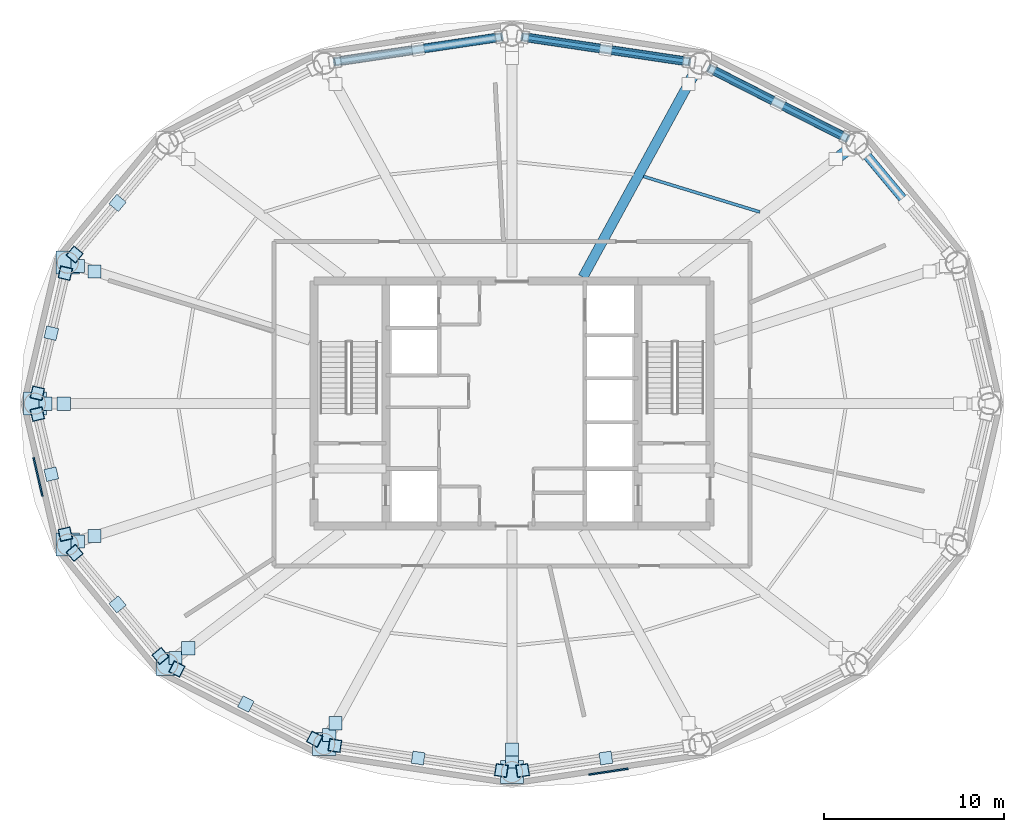
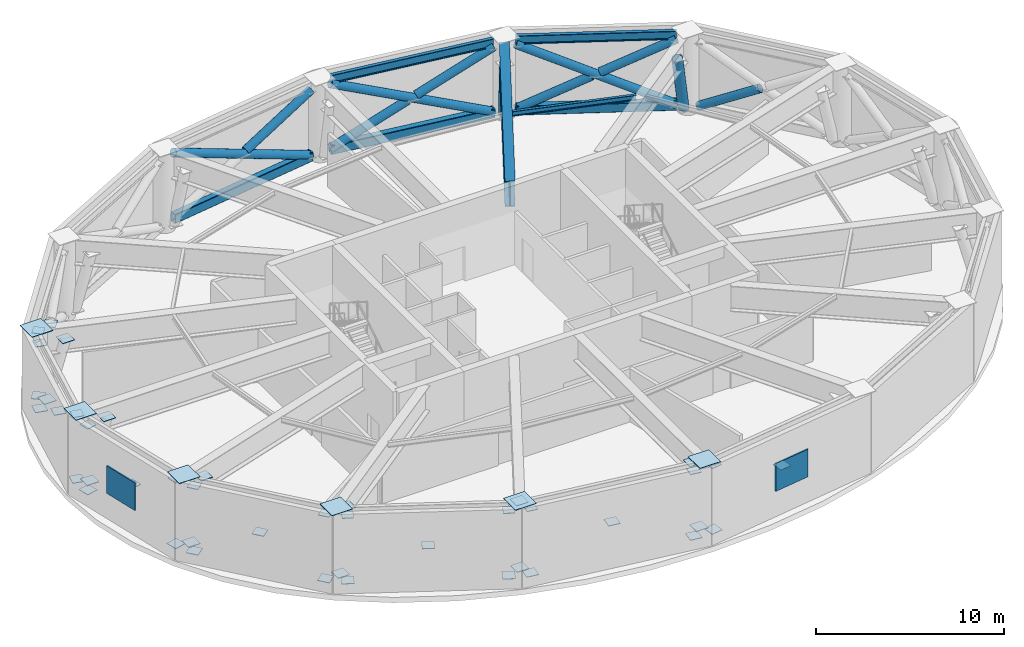
# One storey, part 3 of 8: 51 plates, 14 members, 4 beams.
"""IFC4 building model written with IfcOpenShell, lengths in metres."""

from ifc_helpers import new_model, si_unit, direction, frame, origin, origin_2d, place, context, subcontext, project, spatial, rectangle, hollow_rectangle, hollow_circle, i_section, extrude, material, layer, layer_set, material_profile, profile_set, type_object, element, save


model = new_model("IFC4")

# Units and contexts
model_context = context("Model", 3, precision=1e-05, world=origin(), true_north=direction((0.0, 1.0)))
body_context = subcontext(model_context, "Body", "Model", "MODEL_VIEW")
ifc_project = project(units=[si_unit("LENGTHUNIT", "METRE"), si_unit("AREAUNIT", "SQUARE_METRE"), si_unit("VOLUMEUNIT", "CUBIC_METRE"), si_unit("PLANEANGLEUNIT", "RADIAN"), si_unit("MASSUNIT", "GRAM", prefix="KILO")], contexts=[model_context])

# Site, building, storey
site_placement = place(None, origin())
site = spatial("IfcSite", under=ifc_project, at=site_placement, CompositionType="ELEMENT")
building_placement = place(site_placement, origin())
building = spatial("IfcBuilding", under=site, at=building_placement, Name="Sarneth Arch Tower", CompositionType="ELEMENT")
storey_placement = place(building_placement, frame((0.0, 0.0, 201.0)))
storey = spatial("IfcBuildingStorey", under=building, at=storey_placement, Name="L51", CompositionType="ELEMENT", Elevation=201.0)

# Beams
ifc_material_1 = material(Name="Steel S355", Category="steel")
ifc_material_profile_1 = material_profile(ifc_material_1, i_section(OverallWidth=0.1669921875, OverallDepth=0.31689453125, WebThickness=0.007568359375, FlangeThickness=0.01318359375, FilletRadius=0.012939453125, at=origin_2d()), Name="W310x52")
ifc_profile_set_1 = profile_set([ifc_material_profile_1], Name="Steel S355")
beam_type_1 = type_object("IfcBeamType", Name="BM-JOIST-310B", PredefinedType="JOIST", material=ifc_profile_set_1)
beam_1_placement = place(storey_placement, frame((61.75927734375, 52.64111328125, 4.991455078125), z_axis=(-0.956343715829, 0.292244242364, 0.0), x_axis=(-0.292244242364, -0.956343715829, 0.0)))
element("IfcBeam", 1, at=beam_1_placement, inside=storey, type_object=beam_type_1, Name="L51 Secondary floor joist 03", PredefinedType="JOIST", context=body_context, shape_type="SweptSolid", body=[
    extrude(i_section(OverallWidth=0.1669921875, OverallDepth=0.31689453125, WebThickness=0.007568359375, FlangeThickness=0.01318359375, FilletRadius=0.012939453125, at=origin_2d()), origin(), (0.0, 0.0, 1.0), 6.755859375),
])
ifc_material_2 = material(Name="Steel S355", Category="steel")
ifc_material_profile_2 = material_profile(ifc_material_2, i_section(OverallWidth=0.214111328125, OverallDepth=0.549072265625, WebThickness=0.0146484375, FlangeThickness=0.023681640625, FilletRadius=0.01806640625, at=origin_2d()), Name="W530x138")
ifc_profile_set_2 = profile_set([ifc_material_profile_2], Name="Steel S355")
beam_type_2 = type_object("IfcBeamType", Name="BM-RAD-530A", PredefinedType="BEAM", material=ifc_profile_set_2)
beam_2_placement = place(storey_placement, frame((66.59912109375, 56.732421875, 4.87548828125), z_axis=(-0.891250372735, 0.453511601945, 0.0), x_axis=(-0.453511601945, -0.891250372735, 0.0)))
element("IfcBeam", 2, at=beam_2_placement, inside=storey, type_object=beam_type_2, Name="L51 Perimeter spandrel beam 03", PredefinedType="BEAM", context=body_context, shape_type="SweptSolid", body=[
    extrude(i_section(OverallWidth=0.214111328125, OverallDepth=0.549072265625, WebThickness=0.0146484375, FlangeThickness=0.023681640625, FilletRadius=0.01806640625, at=origin_2d()), origin(), (0.0, 0.0, 1.0), 8.5751953125),
])
beam_3_placement = place(storey_placement, frame((57.828369140625, 60.98193359375, 4.87548828125), z_axis=(-0.98902783755, 0.147729267756, 0.0), x_axis=(-0.147729267756, -0.98902783755, 0.0)))
element("IfcBeam", 3, at=beam_3_placement, inside=storey, type_object=beam_type_2, Name="L51 Perimeter spandrel beam 04", PredefinedType="BEAM", context=body_context, shape_type="SweptSolid", body=[
    extrude(i_section(OverallWidth=0.214111328125, OverallDepth=0.549072265625, WebThickness=0.0146484375, FlangeThickness=0.023681640625, FilletRadius=0.01806640625, at=origin_2d()), origin(), (0.0, 0.0, 1.0), 9.33740234375),
])
ifc_material_3 = material(Name="Steel S355", Category="steel")
ifc_material_profile_3 = material_profile(ifc_material_3, i_section(OverallWidth=0.550048828125, OverallDepth=1.64990234375, WebThickness=0.02197265625, FlangeThickness=0.0380859375, FilletRadius=0.02392578125, at=origin_2d()), Name="CVS1650x680")
ifc_profile_set_3 = profile_set([ifc_material_profile_3], Name="Steel S355")
beam_type_3 = type_object("IfcBeamType", Name="BM-XFER-1650", PredefinedType="BEAM", material=ifc_profile_set_3)
beam_4_placement = place(storey_placement, frame((51.9365234375, 49.02490234375, 4.324951171875), z_axis=(0.479512409172, 0.8775350987, 0.0), x_axis=(-0.8775350987, 0.479512409172, 0.0)))
element("IfcBeam", 4, at=beam_4_placement, inside=storey, type_object=beam_type_3, Name="L51 Step-taper transfer girder 04", PredefinedType="BEAM", context=body_context, shape_type="SweptSolid", body=[
    extrude(i_section(OverallWidth=0.550048828125, OverallDepth=1.64990234375, WebThickness=0.02197265625, FlangeThickness=0.0380859375, FilletRadius=0.02392578125, at=origin_2d()), origin(), (0.0, 0.0, 1.0), 12.924560546875),
])

# Members
ifc_material_4 = material(Name="Steel S355", Category="steel")
ifc_material_profile_4 = material_profile(ifc_material_4, hollow_rectangle(XDim=0.39990234375, YDim=0.60009765625, WallThickness=0.02197265625, InnerFilletRadius=0.032958984375, OuterFilletRadius=0.054931640625, at=origin_2d()), Name="RHS600x400x22")
ifc_profile_set_4 = profile_set([ifc_material_profile_4], Name="Steel S355")
member_type_1 = type_object("IfcMemberType", Name="MEM-BELT-CHORD", PredefinedType="CHORD", material=ifc_profile_set_4)
member_1_placement = place(storey_placement, frame((66.59912109375, 56.732421875, 0.35009765625), z_axis=(-0.891250372735, 0.453511601945, 0.0), x_axis=(-0.453511601945, -0.891250372735, 0.0)))
element("IfcMember", 5, at=member_1_placement, inside=storey, type_object=member_type_1, Name="L51 Ring belt bottom chord 03", PredefinedType="CHORD", context=body_context, shape_type="SweptSolid", body=[
    extrude(hollow_rectangle(XDim=0.39990234375, YDim=0.60009765625, WallThickness=0.02197265625, InnerFilletRadius=0.032958984375, OuterFilletRadius=0.054931640625, at=origin_2d()), origin(), (0.0, 0.0, 1.0), 8.5751953125),
])
for number, where, z_axis, x_axis, name in (
    (6, (57.828369140625, 60.98193359375, 0.35009765625), (-0.98902783755, 0.147729267756, 0.0), (-0.147729267756, -0.98902783755, 0.0), "L51 Ring belt bottom chord 04"),
    (7, (47.406494140625, 62.361328125, 0.35009765625), (-0.98902783755, -0.147729267756, 0.0), (0.147729267756, -0.98902783755, 0.0), "L51 Ring belt bottom chord 05"),
):
    element("IfcMember", number, at=place(storey_placement, frame(where, z_axis=z_axis, x_axis=x_axis)), inside=storey, type_object=member_type_1, Name=name, PredefinedType="CHORD", context=body_context, shape_type="SweptSolid", body=[
        extrude(hollow_rectangle(XDim=0.39990234375, YDim=0.60009765625, WallThickness=0.02197265625, InnerFilletRadius=0.032958984375, OuterFilletRadius=0.054931640625, at=origin_2d()), origin(), (0.0, 0.0, 1.0), 9.33740234375),
    ])
ifc_material_5 = material(Name="Steel S355", Category="steel")
ifc_material_profile_5 = material_profile(ifc_material_5, hollow_circle(Radius=0.304931640625, WallThickness=0.02001953125, at=origin_2d()), Name="CHS610x20")
ifc_profile_set_5 = profile_set([ifc_material_profile_5], Name="Steel S355")
member_type_2 = type_object("IfcMemberType", Name="MEM-BELT-DIAG1", PredefinedType="BRACE", material=ifc_profile_set_5)
member_2_placement = place(storey_placement, frame((66.672607421875, 56.108642578125, 0.449951171875), z_axis=(-0.179125832396, -0.136727701199, 0.974278949733), x_axis=(0.606747374173, -0.794894725064, 0.0)))
element("IfcMember", 8, at=member_2_placement, inside=storey, type_object=member_type_2, Name="L51 Step-taper inclined transfer strut 03", PredefinedType="BRACE", context=body_context, shape_type="SweptSolid", body=[
    extrude(hollow_circle(Radius=0.304931640625, WallThickness=0.02001953125, at=origin_2d()), origin(), (0.0, 0.0, 1.0), 3.892578125),
])
member_3_placement = place(storey_placement, frame((58.143798828125, 60.38427734375, 0.449951171875), z_axis=(-0.091381437233, -0.16715345884, 0.981686892103), x_axis=(0.877438774576, -0.47968864576, 0.0)))
element("IfcMember", 9, at=member_3_placement, inside=storey, type_object=member_type_2, Name="L51 Step-taper inclined transfer strut 04", PredefinedType="BRACE", context=body_context, shape_type="SweptSolid", body=[
    extrude(hollow_circle(Radius=0.304931640625, WallThickness=0.02001953125, at=origin_2d()), origin(), (0.0, 0.0, 1.0), 3.86328125),
])
ifc_material_6 = material(Name="Steel S355", Category="steel")
ifc_material_profile_6 = material_profile(ifc_material_6, hollow_circle(Radius=0.25390625, WallThickness=0.01611328125, at=origin_2d()), Name="CHS508x16")
ifc_profile_set_6 = profile_set([ifc_material_profile_6], Name="Steel S355")
member_type_3 = type_object("IfcMemberType", Name="MEM-BELT-DIAG2", PredefinedType="BRACE", material=ifc_profile_set_6)
member_4_placement = place(storey_placement, frame((67.517822265625, 55.99951171875, 0.35009765625), z_axis=(0.556395759416, -0.667747650695, 0.494506657078), x_axis=(0.768255576844, 0.640143240727, 0.0)))
element("IfcMember", 10, at=member_4_placement, inside=storey, type_object=member_type_3, Name="L51 Ring belt split diagonal B1-02", PredefinedType="BRACE", context=body_context, shape_type="SweptSolid", body=[
    extrude(hollow_circle(Radius=0.25390625, WallThickness=0.01611328125, at=origin_2d()), origin(), (0.0, 0.0, 1.0), 4.027587890625),
])
member_5_placement = place(storey_placement, frame((66.59912109375, 56.732421875, 0.35009765625), z_axis=(-0.799257686212, 0.406701242131, 0.442471751279), x_axis=(-0.453511601945, -0.891250372735, 0.0)))
element("IfcMember", 11, at=member_5_placement, inside=storey, type_object=member_type_3, Name="L51 Ring belt continuous diagonal A03", PredefinedType="BRACE", context=body_context, shape_type="SweptSolid", body=[
    extrude(hollow_circle(Radius=0.25390625, WallThickness=0.01611328125, at=origin_2d()), origin(), (0.0, 0.0, 1.0), 9.56201171875),
])
for number, where, z_axis, x_axis, name in (
    (12, (58.95654296875, 60.621337890625, 0.35009765625), (0.79926517536, -0.406690949414, 0.442467683703), (0.453499109667, 0.891256729305, 0.0), "L51 Ring belt split diagonal B1-03"),
    (13, (62.9775390625, 58.5751953125, 2.576171875), (0.79926517536, -0.406690949414, 0.442467683703), (0.453499109667, 0.891256729305, 0.0), "L51 Ring belt split diagonal B2-03"),
):
    element("IfcMember", number, at=place(storey_placement, frame(where, z_axis=z_axis, x_axis=x_axis)), inside=storey, type_object=member_type_3, Name=name, PredefinedType="BRACE", context=body_context, shape_type="SweptSolid", body=[
        extrude(hollow_circle(Radius=0.25390625, WallThickness=0.01611328125, at=origin_2d()), origin(), (0.0, 0.0, 1.0), 4.53125),
    ])
member_6_placement = place(storey_placement, frame((57.828369140625, 60.98193359375, 0.35009765625), z_axis=(-0.900859698162, 0.134559755052, 0.41272930178), x_axis=(-0.147729267756, -0.98902783755, 0.0)))
element("IfcMember", 14, at=member_6_placement, inside=storey, type_object=member_type_3, Name="L51 Ring belt continuous diagonal A04", PredefinedType="BRACE", context=body_context, shape_type="SweptSolid", body=[
    extrude(hollow_circle(Radius=0.25390625, WallThickness=0.01611328125, at=origin_2d()), origin(), (0.0, 0.0, 1.0), 10.251220703125),
])
member_7_placement = place(storey_placement, frame((48.593505859375, 62.361328125, 0.35009765625), z_axis=(0.900862873201, -0.134553559772, 0.41272439138), x_axis=(0.147722105286, 0.989028907368, 0.0)))
element("IfcMember", 15, at=member_7_placement, inside=storey, type_object=member_type_3, Name="L51 Ring belt split diagonal B1-04", PredefinedType="BRACE", context=body_context, shape_type="SweptSolid", body=[
    extrude(hollow_circle(Radius=0.25390625, WallThickness=0.01611328125, at=origin_2d()), origin(), (0.0, 0.0, 1.0), 4.87548828125),
])
member_8_placement = place(storey_placement, frame((53.43603515625, 61.637939453125, 2.568603515625), z_axis=(0.900853691505, -0.134544709525, 0.41274731694), x_axis=(0.147714073559, 0.98903010696, 0.0)))
element("IfcMember", 16, at=member_8_placement, inside=storey, type_object=member_type_3, Name="L51 Ring belt split diagonal B2-04", PredefinedType="BRACE", context=body_context, shape_type="SweptSolid", body=[
    extrude(hollow_circle(Radius=0.25390625, WallThickness=0.01611328125, at=origin_2d()), origin(), (0.0, 0.0, 1.0), 4.875732421875),
])
member_9_placement = place(storey_placement, frame((47.406494140625, 62.361328125, 0.35009765625), z_axis=(-0.900859698162, -0.134559755052, 0.41272930178), x_axis=(0.147729267756, -0.98902783755, 0.0)))
element("IfcMember", 17, at=member_9_placement, inside=storey, type_object=member_type_3, Name="L51 Ring belt continuous diagonal A05", PredefinedType="BRACE", context=body_context, shape_type="SweptSolid", body=[
    extrude(hollow_circle(Radius=0.25390625, WallThickness=0.01611328125, at=origin_2d()), origin(), (0.0, 0.0, 1.0), 10.251220703125),
])
member_10_placement = place(storey_placement, frame((43.014404296875, 61.705322265625, 2.568603515625), z_axis=(0.900844254078, 0.134550778805, 0.412765935874), x_axis=(-0.147722105286, 0.989028907368, 0.0)))
element("IfcMember", 18, at=member_10_placement, inside=storey, type_object=member_type_3, Name="L51 Ring belt split diagonal B2-05", PredefinedType="BRACE", context=body_context, shape_type="SweptSolid", body=[
    extrude(hollow_circle(Radius=0.25390625, WallThickness=0.01611328125, at=origin_2d()), origin(), (0.0, 0.0, 1.0), 4.87548828125),
])

# Plates
ifc_material_7 = material(Name="Powder-coated Aluminium 6063-T6 stormproof acoustic louvre", Category="aluminium")
ifc_layer_1 = layer(ifc_material_7, 0.094970703125)
ifc_layer_set_1 = layer_set([ifc_layer_1], Name="Powder-coated Aluminium 6063-T6 stormproof acoustic louvre")
plate_type_1 = type_object("IfcPlateType", Name="LOUVRE-PLANT", PredefinedType="SHEET", material=ifc_layer_set_1)
for number, where, z_axis, x_axis, name in (
    (19, (21.68798828125, 37.9326171875, 1.6748046875), (0.0, 0.0, 1.0), (0.225461202458, -0.974252147129, 0.0), "L51 Mechanical louvre 09"),
    (20, (53.353759765625, 21.573974609375, 1.6748046875), (0.0, 0.0, 1.0), (0.988860535448, 0.148845024885, 0.0), "L51 Mechanical louvre 13"),
):
    element("IfcPlate", number, at=place(storey_placement, frame(where, z_axis=z_axis, x_axis=x_axis)), inside=storey, type_object=plate_type_1, Name=name, PredefinedType="SHEET", context=body_context, shape_type="SweptSolid", body=[
        extrude(rectangle(XDim=2.199951171875, YDim=0.094970703125, at=origin_2d()), origin(), (0.0, 0.0, 1.0), 1.800048828125),
    ])
ifc_material_8 = material(Name="Steel S355", Category="steel")
ifc_layer_2 = layer(ifc_material_8, 0.035888671875)
ifc_layer_set_2 = layer_set([ifc_layer_2], Name="Steel S355")
plate_type_2 = type_object("IfcPlateType", Name="PLT-GUSSET-30", PredefinedType="SHEET", material=ifc_layer_set_2)
plate_1_placement = place(storey_placement, frame((26.10205078125, 53.14306640625, 2.44775390625), z_axis=(0.0, 0.0, 1.0), x_axis=(-0.640109699485, -0.768283523594, 0.0)))
element("IfcPlate", 21, at=plate_1_placement, inside=storey, type_object=plate_type_2, Name="Steel end cap plate GP-1", PredefinedType="SHEET", context=body_context, shape_type="SweptSolid", body=[
    extrude(rectangle(XDim=0.679931640625, YDim=0.679931640625, at=origin_2d()), origin(), (0.0, 0.0, 1.0), 0.035888671875),
])
plate_2_placement = place(storey_placement, frame((23.721923828125, 50.286865234375, 0.33203125), z_axis=(0.0, 0.0, 1.0), x_axis=(-0.640109699485, -0.768283523594, 0.0)))
element("IfcPlate", 22, at=plate_2_placement, inside=storey, type_object=plate_type_2, Name="Steel end cap plate GP-1", PredefinedType="SHEET", context=body_context, shape_type="SweptSolid", body=[
    extrude(rectangle(XDim=0.699951171875, YDim=0.699951171875, at=origin_2d()), origin(), (0.0, 0.0, 1.0), 0.035888671875),
])
plate_3_placement = place(storey_placement, frame((23.721923828125, 50.286865234375, 4.56298828125), z_axis=(0.0, 0.0, 1.0), x_axis=(-0.640109699485, -0.768283523594, 0.0)))
element("IfcPlate", 23, at=plate_3_placement, inside=storey, type_object=plate_type_2, Name="Steel end cap plate GP-1", PredefinedType="SHEET", context=body_context, shape_type="SweptSolid", body=[
    extrude(rectangle(XDim=0.6298828125, YDim=0.6298828125, at=origin_2d()), origin(), (0.0, 0.0, 1.0), 0.035888671875),
])
plate_4_placement = place(storey_placement, frame((22.425537109375, 45.912841796875, 2.44775390625), z_axis=(0.0, 0.0, 1.0), x_axis=(-0.227161248969, -0.973857159427, 0.0)))
element("IfcPlate", 24, at=plate_4_placement, inside=storey, type_object=plate_type_2, Name="Steel end cap plate GP-1", PredefinedType="SHEET", context=body_context, shape_type="SweptSolid", body=[
    extrude(rectangle(XDim=0.679931640625, YDim=0.679931640625, at=origin_2d()), origin(), (0.0, 0.0, 1.0), 0.035888671875),
])
for number, where, z_axis, x_axis, name in (
    (25, (23.20166015625, 49.241455078125, 0.33203125), (0.0, 0.0, 1.0), (0.227161248969, 0.973857159427, 0.0), "Steel end cap plate GP-1"),
    (26, (21.649169921875, 42.584228515625, 0.33203125), (0.0, 0.0, 1.0), (-0.227161248969, -0.973857159427, 0.0), "Steel end cap plate GP-1"),
):
    element("IfcPlate", number, at=place(storey_placement, frame(where, z_axis=z_axis, x_axis=x_axis)), inside=storey, type_object=plate_type_2, Name=name, PredefinedType="SHEET", context=body_context, shape_type="SweptSolid", body=[
        extrude(rectangle(XDim=0.699951171875, YDim=0.699951171875, at=origin_2d()), origin(), (0.0, 0.0, 1.0), 0.035888671875),
    ])
for number, where, z_axis, x_axis, name in (
    (27, (23.20166015625, 49.241455078125, 4.56298828125), (0.0, 0.0, 1.0), (0.227161248969, 0.973857159427, 0.0), "Steel end cap plate GP-1"),
    (28, (21.649169921875, 42.584228515625, 4.56298828125), (0.0, 0.0, 1.0), (-0.227161248969, -0.973857159427, 0.0), "Steel end cap plate GP-1"),
):
    element("IfcPlate", number, at=place(storey_placement, frame(where, z_axis=z_axis, x_axis=x_axis)), inside=storey, type_object=plate_type_2, Name=name, PredefinedType="SHEET", context=body_context, shape_type="SweptSolid", body=[
        extrude(rectangle(XDim=0.6298828125, YDim=0.6298828125, at=origin_2d()), origin(), (0.0, 0.0, 1.0), 0.035888671875),
    ])
for number, where, z_axis, x_axis, name in (
    (29, (23.89013671875, 49.64892578125, 0.43212890625), (0.0, 0.0, 1.0), (1.0, 0.0, 0.0), "Steel end cap plate GP-1"),
    (30, (24.8310546875, 49.347412109375, 4.224609375), (0.0, 0.0, 1.0), (1.0, 0.0, 0.0), "Steel end cap plate GP-1"),
):
    element("IfcPlate", number, at=place(storey_placement, frame(where, z_axis=z_axis, x_axis=x_axis)), inside=storey, type_object=plate_type_2, Name=name, PredefinedType="SHEET", context=body_context, shape_type="SweptSolid", body=[
        extrude(rectangle(XDim=0.72998046875, YDim=0.72998046875, at=origin_2d()), origin(), (0.0, 0.0, 1.0), 0.035888671875),
    ])
plate_5_placement = place(storey_placement, frame((22.425537109375, 38.087158203125, 2.44775390625), z_axis=(0.0, 0.0, 1.0), x_axis=(0.227161248969, -0.973857159427, 0.0)))
element("IfcPlate", 31, at=plate_5_placement, inside=storey, type_object=plate_type_2, Name="Steel end cap plate GP-1", PredefinedType="SHEET", context=body_context, shape_type="SweptSolid", body=[
    extrude(rectangle(XDim=0.679931640625, YDim=0.679931640625, at=origin_2d()), origin(), (0.0, 0.0, 1.0), 0.035888671875),
])
for number, where, z_axis, x_axis, name in (
    (32, (21.649169921875, 41.415771484375, 0.33203125), (0.0, 0.0, 1.0), (-0.227161248969, 0.973857159427, 0.0), "Steel end cap plate GP-1"),
    (33, (23.20166015625, 34.758544921875, 0.33203125), (0.0, 0.0, 1.0), (0.227161248969, -0.973857159427, 0.0), "Steel end cap plate GP-1"),
):
    element("IfcPlate", number, at=place(storey_placement, frame(where, z_axis=z_axis, x_axis=x_axis)), inside=storey, type_object=plate_type_2, Name=name, PredefinedType="SHEET", context=body_context, shape_type="SweptSolid", body=[
        extrude(rectangle(XDim=0.699951171875, YDim=0.699951171875, at=origin_2d()), origin(), (0.0, 0.0, 1.0), 0.035888671875),
    ])
for number, where, z_axis, x_axis, name in (
    (34, (21.649169921875, 41.415771484375, 4.56298828125), (0.0, 0.0, 1.0), (-0.227161248969, 0.973857159427, 0.0), "Steel end cap plate GP-1"),
    (35, (23.20166015625, 34.758544921875, 4.56298828125), (0.0, 0.0, 1.0), (0.227161248969, -0.973857159427, 0.0), "Steel end cap plate GP-1"),
):
    element("IfcPlate", number, at=place(storey_placement, frame(where, z_axis=z_axis, x_axis=x_axis)), inside=storey, type_object=plate_type_2, Name=name, PredefinedType="SHEET", context=body_context, shape_type="SweptSolid", body=[
        extrude(rectangle(XDim=0.6298828125, YDim=0.6298828125, at=origin_2d()), origin(), (0.0, 0.0, 1.0), 0.035888671875),
    ])
for number, where, z_axis, x_axis, name in (
    (36, (22.093017578125, 42.0, 0.43212890625), (0.0, 0.0, 1.0), (1.0, 0.0, 0.0), "Steel end cap plate GP-1"),
    (37, (23.11669921875, 42.0, 4.224609375), (0.0, 0.0, 1.0), (1.0, 0.0, 0.0), "Steel end cap plate GP-1"),
):
    element("IfcPlate", number, at=place(storey_placement, frame(where, z_axis=z_axis, x_axis=x_axis)), inside=storey, type_object=plate_type_2, Name=name, PredefinedType="SHEET", context=body_context, shape_type="SweptSolid", body=[
        extrude(rectangle(XDim=0.72998046875, YDim=0.72998046875, at=origin_2d()), origin(), (0.0, 0.0, 1.0), 0.035888671875),
    ])
plate_6_placement = place(storey_placement, frame((26.10205078125, 30.85693359375, 2.44775390625), z_axis=(0.0, 0.0, 1.0), x_axis=(0.640109699485, -0.768283523594, 0.0)))
element("IfcPlate", 38, at=plate_6_placement, inside=storey, type_object=plate_type_2, Name="Steel end cap plate GP-1", PredefinedType="SHEET", context=body_context, shape_type="SweptSolid", body=[
    extrude(rectangle(XDim=0.679931640625, YDim=0.679931640625, at=origin_2d()), origin(), (0.0, 0.0, 1.0), 0.035888671875),
])
for number, where, z_axis, x_axis, name in (
    (39, (23.721923828125, 33.713134765625, 0.33203125), (0.0, 0.0, 1.0), (-0.640109699485, 0.768283523594, 0.0), "Steel end cap plate GP-1"),
    (40, (28.482177734375, 28.00048828125, 0.33203125), (0.0, 0.0, 1.0), (0.640109699485, -0.768283523594, 0.0), "Steel end cap plate GP-1"),
):
    element("IfcPlate", number, at=place(storey_placement, frame(where, z_axis=z_axis, x_axis=x_axis)), inside=storey, type_object=plate_type_2, Name=name, PredefinedType="SHEET", context=body_context, shape_type="SweptSolid", body=[
        extrude(rectangle(XDim=0.699951171875, YDim=0.699951171875, at=origin_2d()), origin(), (0.0, 0.0, 1.0), 0.035888671875),
    ])
for number, where, z_axis, x_axis, name in (
    (41, (23.721923828125, 33.713134765625, 4.56298828125), (0.0, 0.0, 1.0), (-0.640109699485, 0.768283523594, 0.0), "Steel end cap plate GP-1"),
    (42, (28.482177734375, 28.00048828125, 4.56298828125), (0.0, 0.0, 1.0), (0.640109699485, -0.768283523594, 0.0), "Steel end cap plate GP-1"),
):
    element("IfcPlate", number, at=place(storey_placement, frame(where, z_axis=z_axis, x_axis=x_axis)), inside=storey, type_object=plate_type_2, Name=name, PredefinedType="SHEET", context=body_context, shape_type="SweptSolid", body=[
        extrude(rectangle(XDim=0.6298828125, YDim=0.6298828125, at=origin_2d()), origin(), (0.0, 0.0, 1.0), 0.035888671875),
    ])
for number, where, z_axis, x_axis, name in (
    (43, (23.89013671875, 34.35107421875, 0.43212890625), (0.0, 0.0, 1.0), (1.0, 0.0, 0.0), "Steel end cap plate GP-1"),
    (44, (24.8310546875, 34.652587890625, 4.224609375), (0.0, 0.0, 1.0), (1.0, 0.0, 0.0), "Steel end cap plate GP-1"),
):
    element("IfcPlate", number, at=place(storey_placement, frame(where, z_axis=z_axis, x_axis=x_axis)), inside=storey, type_object=plate_type_2, Name=name, PredefinedType="SHEET", context=body_context, shape_type="SweptSolid", body=[
        extrude(rectangle(XDim=0.72998046875, YDim=0.72998046875, at=origin_2d()), origin(), (0.0, 0.0, 1.0), 0.035888671875),
    ])
plate_7_placement = place(storey_placement, frame((33.22216796875, 25.3232421875, 2.44775390625), z_axis=(0.0, 0.0, 1.0), x_axis=(0.89124411091, -0.453523907604, 0.0)))
element("IfcPlate", 45, at=plate_7_placement, inside=storey, type_object=plate_type_2, Name="Steel end cap plate GP-1", PredefinedType="SHEET", context=body_context, shape_type="SweptSolid", body=[
    extrude(rectangle(XDim=0.679931640625, YDim=0.679931640625, at=origin_2d()), origin(), (0.0, 0.0, 1.0), 0.035888671875),
])
for number, where, z_axis, x_axis, name in (
    (46, (29.40087890625, 27.267578125, 0.33203125), (0.0, 0.0, 1.0), (-0.89124411091, 0.453523907604, 0.0), "Steel end cap plate GP-1"),
    (47, (37.04345703125, 23.378662109375, 0.33203125), (0.0, 0.0, 1.0), (0.89124411091, -0.453523907604, 0.0), "Steel end cap plate GP-1"),
):
    element("IfcPlate", number, at=place(storey_placement, frame(where, z_axis=z_axis, x_axis=x_axis)), inside=storey, type_object=plate_type_2, Name=name, PredefinedType="SHEET", context=body_context, shape_type="SweptSolid", body=[
        extrude(rectangle(XDim=0.699951171875, YDim=0.699951171875, at=origin_2d()), origin(), (0.0, 0.0, 1.0), 0.035888671875),
    ])
for number, where, z_axis, x_axis, name in (
    (48, (29.40087890625, 27.267578125, 4.56298828125), (0.0, 0.0, 1.0), (-0.89124411091, 0.453523907604, 0.0), "Steel end cap plate GP-1"),
    (49, (37.04345703125, 23.378662109375, 4.56298828125), (0.0, 0.0, 1.0), (0.89124411091, -0.453523907604, 0.0), "Steel end cap plate GP-1"),
):
    element("IfcPlate", number, at=place(storey_placement, frame(where, z_axis=z_axis, x_axis=x_axis)), inside=storey, type_object=plate_type_2, Name=name, PredefinedType="SHEET", context=body_context, shape_type="SweptSolid", body=[
        extrude(rectangle(XDim=0.6298828125, YDim=0.6298828125, at=origin_2d()), origin(), (0.0, 0.0, 1.0), 0.035888671875),
    ])
for number, where, z_axis, x_axis, name in (
    (50, (29.327392578125, 27.891357421875, 0.43212890625), (0.0, 0.0, 1.0), (1.0, 0.0, 0.0), "Steel end cap plate GP-1"),
    (51, (30.024658203125, 28.423583984375, 4.224609375), (0.0, 0.0, 1.0), (1.0, 0.0, 0.0), "Steel end cap plate GP-1"),
):
    element("IfcPlate", number, at=place(storey_placement, frame(where, z_axis=z_axis, x_axis=x_axis)), inside=storey, type_object=plate_type_2, Name=name, PredefinedType="SHEET", context=body_context, shape_type="SweptSolid", body=[
        extrude(rectangle(XDim=0.72998046875, YDim=0.72998046875, at=origin_2d()), origin(), (0.0, 0.0, 1.0), 0.035888671875),
    ])
plate_8_placement = place(storey_placement, frame((42.7890625, 22.328369140625, 2.44775390625), z_axis=(0.0, 0.0, 1.0), x_axis=(0.989015863362, -0.14780941113, 0.0)))
element("IfcPlate", 52, at=plate_8_placement, inside=storey, type_object=plate_type_2, Name="Steel end cap plate GP-1", PredefinedType="SHEET", context=body_context, shape_type="SweptSolid", body=[
    extrude(rectangle(XDim=0.679931640625, YDim=0.679931640625, at=origin_2d()), origin(), (0.0, 0.0, 1.0), 0.035888671875),
])
for number, where, z_axis, x_axis, name in (
    (53, (38.171630859375, 23.01806640625, 0.33203125), (0.0, 0.0, 1.0), (-0.989015863362, 0.14780941113, 0.0), "Steel end cap plate GP-1"),
    (54, (47.406494140625, 21.638671875, 0.33203125), (0.0, 0.0, 1.0), (0.989015863362, -0.14780941113, 0.0), "Steel end cap plate GP-1"),
):
    element("IfcPlate", number, at=place(storey_placement, frame(where, z_axis=z_axis, x_axis=x_axis)), inside=storey, type_object=plate_type_2, Name=name, PredefinedType="SHEET", context=body_context, shape_type="SweptSolid", body=[
        extrude(rectangle(XDim=0.699951171875, YDim=0.699951171875, at=origin_2d()), origin(), (0.0, 0.0, 1.0), 0.035888671875),
    ])
for number, where, z_axis, x_axis, name in (
    (55, (38.171630859375, 23.01806640625, 4.56298828125), (0.0, 0.0, 1.0), (-0.989015863362, 0.14780941113, 0.0), "Steel end cap plate GP-1"),
    (56, (47.406494140625, 21.638671875, 4.56298828125), (0.0, 0.0, 1.0), (0.989015863362, -0.14780941113, 0.0), "Steel end cap plate GP-1"),
):
    element("IfcPlate", number, at=place(storey_placement, frame(where, z_axis=z_axis, x_axis=x_axis)), inside=storey, type_object=plate_type_2, Name=name, PredefinedType="SHEET", context=body_context, shape_type="SweptSolid", body=[
        extrude(rectangle(XDim=0.6298828125, YDim=0.6298828125, at=origin_2d()), origin(), (0.0, 0.0, 1.0), 0.035888671875),
    ])
for number, where, z_axis, x_axis, name in (
    (57, (37.856201171875, 23.61572265625, 0.43212890625), (0.0, 0.0, 1.0), (1.0, 0.0, 0.0), "Steel end cap plate GP-1"),
    (58, (38.209228515625, 24.261474609375, 4.224609375), (0.0, 0.0, 1.0), (1.0, 0.0, 0.0), "Steel end cap plate GP-1"),
):
    element("IfcPlate", number, at=place(storey_placement, frame(where, z_axis=z_axis, x_axis=x_axis)), inside=storey, type_object=plate_type_2, Name=name, PredefinedType="SHEET", context=body_context, shape_type="SweptSolid", body=[
        extrude(rectangle(XDim=0.72998046875, YDim=0.72998046875, at=origin_2d()), origin(), (0.0, 0.0, 1.0), 0.035888671875),
    ])
plate_9_placement = place(storey_placement, frame((53.2109375, 22.328369140625, 2.44775390625), z_axis=(0.0, 0.0, 1.0), x_axis=(0.989015863362, 0.14780941113, 0.0)))
element("IfcPlate", 59, at=plate_9_placement, inside=storey, type_object=plate_type_2, Name="Steel end cap plate GP-1", PredefinedType="SHEET", context=body_context, shape_type="SweptSolid", body=[
    extrude(rectangle(XDim=0.679931640625, YDim=0.679931640625, at=origin_2d()), origin(), (0.0, 0.0, 1.0), 0.035888671875),
])
plate_10_placement = place(storey_placement, frame((48.593505859375, 21.638671875, 0.33203125), z_axis=(0.0, 0.0, 1.0), x_axis=(-0.989015863362, -0.14780941113, 0.0)))
element("IfcPlate", 60, at=plate_10_placement, inside=storey, type_object=plate_type_2, Name="Steel end cap plate GP-1", PredefinedType="SHEET", context=body_context, shape_type="SweptSolid", body=[
    extrude(rectangle(XDim=0.699951171875, YDim=0.699951171875, at=origin_2d()), origin(), (0.0, 0.0, 1.0), 0.035888671875),
])
plate_11_placement = place(storey_placement, frame((48.593505859375, 21.638671875, 4.56298828125), z_axis=(0.0, 0.0, 1.0), x_axis=(-0.989015863362, -0.14780941113, 0.0)))
element("IfcPlate", 61, at=plate_11_placement, inside=storey, type_object=plate_type_2, Name="Steel end cap plate GP-1", PredefinedType="SHEET", context=body_context, shape_type="SweptSolid", body=[
    extrude(rectangle(XDim=0.6298828125, YDim=0.6298828125, at=origin_2d()), origin(), (0.0, 0.0, 1.0), 0.035888671875),
])
for number, where, z_axis, x_axis, name in (
    (62, (48.0, 22.1298828125, 0.43212890625), (0.0, 0.0, 1.0), (1.0, 0.0, 0.0), "Steel end cap plate GP-1"),
    (63, (48.0, 22.800048828125, 4.224609375), (0.0, 0.0, 1.0), (1.0, 0.0, 0.0), "Steel end cap plate GP-1"),
):
    element("IfcPlate", number, at=place(storey_placement, frame(where, z_axis=z_axis, x_axis=x_axis)), inside=storey, type_object=plate_type_2, Name=name, PredefinedType="SHEET", context=body_context, shape_type="SweptSolid", body=[
        extrude(rectangle(XDim=0.72998046875, YDim=0.72998046875, at=origin_2d()), origin(), (0.0, 0.0, 1.0), 0.035888671875),
    ])
ifc_material_9 = material(Name="Steel S355", Category="steel")
ifc_layer_3 = layer(ifc_material_9, 0.0400390625)
ifc_layer_set_3 = layer_set([ifc_layer_3], Name="Steel S355")
plate_type_3 = type_object("IfcPlateType", Name="PLT-SPLICE-40", PredefinedType="SHEET", material=ifc_layer_set_3)
for number, where, z_axis, x_axis, name in (
    (64, (23.337890625, 49.825927734375, 5.1318359375), (0.0, 0.0, 1.0), (1.0, 0.0, 0.0), "Steel end cap plate GP-2"),
    (65, (21.512939453125, 42.0, 5.1318359375), (0.0, 0.0, 1.0), (1.0, 0.0, 0.0), "Steel end cap plate GP-2"),
    (66, (23.337890625, 34.174072265625, 5.1318359375), (0.0, 0.0, 1.0), (1.0, 0.0, 0.0), "Steel end cap plate GP-2"),
    (67, (28.8662109375, 27.53955078125, 5.1318359375), (0.0, 0.0, 1.0), (1.0, 0.0, 0.0), "Steel end cap plate GP-2"),
    (68, (37.578125, 23.106689453125, 5.1318359375), (0.0, 0.0, 1.0), (1.0, 0.0, 0.0), "Steel end cap plate GP-2"),
    (69, (48.0, 21.550048828125, 5.1318359375), (0.0, 0.0, 1.0), (1.0, 0.0, 0.0), "Steel end cap plate GP-2"),
):
    element("IfcPlate", number, at=place(storey_placement, frame(where, z_axis=z_axis, x_axis=x_axis)), inside=storey, type_object=plate_type_3, Name=name, PredefinedType="SHEET", context=body_context, shape_type="SweptSolid", body=[
        extrude(rectangle(XDim=1.280029296875, YDim=1.280029296875, at=origin_2d()), origin(), (0.0, 0.0, 1.0), 0.035888671875),
    ])

save(model, "model.ifc")
